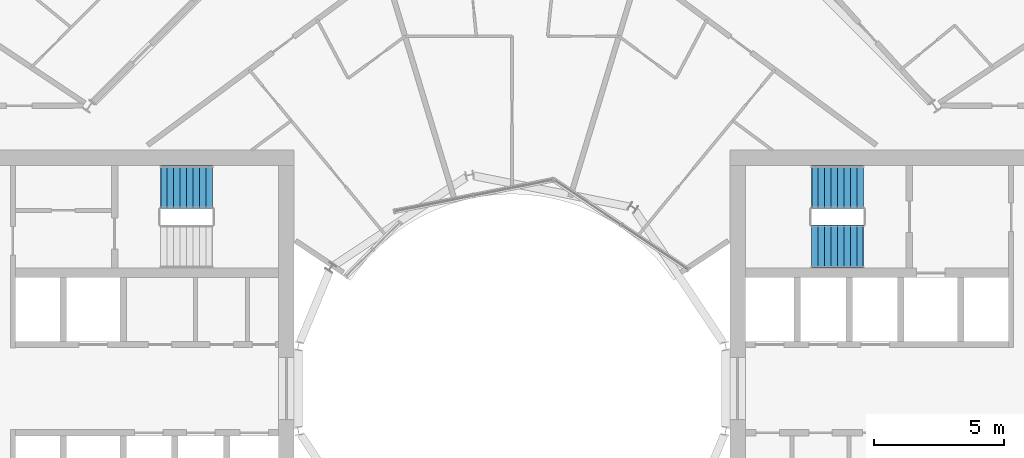
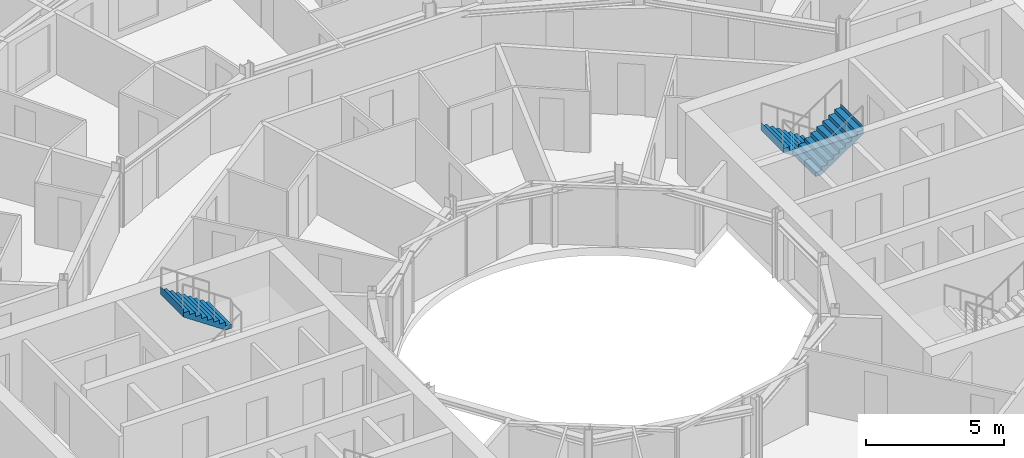
# One storey, part 25 of 27: 3 stair flights, 2 elements without a shape of their own.
"""IFC4 building model written with IfcOpenShell, lengths in metres."""

from ifc_helpers import new_model, si_unit, direction, frame, origin, place, context, subcontext, project, spatial, triangles, material, type_object, element, aggregate, save


model = new_model("IFC4")

# Units and contexts
model_context = context("Model", 3, precision=1e-05, world=origin(), true_north=direction((0.0, 1.0)))
body_context = subcontext(model_context, "Body", "Model", "MODEL_VIEW")
ifc_project = project(units=[si_unit("LENGTHUNIT", "METRE"), si_unit("AREAUNIT", "SQUARE_METRE"), si_unit("VOLUMEUNIT", "CUBIC_METRE"), si_unit("PLANEANGLEUNIT", "RADIAN"), si_unit("MASSUNIT", "GRAM", prefix="KILO")], contexts=[model_context])

# Site, building, storey
site_placement = place(None, origin())
site = spatial("IfcSite", under=ifc_project, at=site_placement, CompositionType="ELEMENT")
building_placement = place(site_placement, origin())
building = spatial("IfcBuilding", under=site, at=building_placement, Name="Maasbend Ring Residences", CompositionType="ELEMENT")
storey_placement = place(building_placement, frame((0.0, 0.0, 120.800048828125)))
storey = spatial("IfcBuildingStorey", under=building, at=storey_placement, Name="L34", CompositionType="ELEMENT", Elevation=120.800048828125)

# Stair, stair flights
ifc_material_1 = material(Name="Concrete C40/50", Category="concrete")
stair_type = type_object("IfcStairType", Name="CORE STAIR 18 RISERS", PredefinedType="HALF_TURN_STAIR", material=ifc_material_1)
stair_1_placement = place(storey_placement, origin())
stair_1 = element("IfcStair", 1, at=stair_1_placement, inside=storey, type_object=stair_type, Name="L34 Exit stair ST-E1", PredefinedType="HALF_TURN_STAIR")
ifc_material_2 = material(Name="Concrete C40/50", Category="concrete")
stair_flight_type = type_object("IfcStairFlightType", Name="CORE STAIR FLIGHT 1650", PredefinedType="STRAIGHT", material=ifc_material_2)
stair_flight_1_placement = place(storey_placement, frame((13.550048828125, 7.77490234375, 0.0), z_axis=(0.0, 0.0, 1.0), x_axis=(-1.0, 0.0, 0.0)))
stair_flight_1 = element("IfcStairFlight", 2, at=stair_flight_1_placement, type_object=stair_flight_type, Name="ST-E1 flight 1", NumberOfRisers=9, NumberOfTreads=8, PredefinedType="STRAIGHT", RiserHeight=0.169444444, TreadLength=0.25, context=body_context, shape_type="Tessellation", body=[
    triangles([(0.24072265625, 0.824951171875, -0.02001953125), (2.0029296875, 0.824951171875, 1.174560546875), (2.0029296875, 0.824951171875, 1.52490234375), (1.989990234375, 0.824951171875, 1.35546875), (1.75, 0.824951171875, 1.35546875), (1.75, 0.824951171875, 1.18603515625), (1.5, 0.824951171875, 1.18603515625), (1.5, 0.824951171875, 1.0166015625), (1.25, 0.824951171875, 1.0166015625), (1.25, 0.824951171875, 0.84716796875), (1.0, 0.824951171875, 0.84716796875), (1.0, 0.824951171875, 0.677734375), (0.75, 0.824951171875, 0.677734375), (0.75, 0.824951171875, 0.50830078125), (0.5, 0.824951171875, 0.50830078125), (0.5, 0.824951171875, 0.3388671875), (0.25, 0.824951171875, 0.3388671875), (0.25, 0.824951171875, 0.16943359375), (0.0, 0.824951171875, 0.16943359375), (0.0, 0.824951171875, 0.0), (-0.0029296875, 0.824951171875, 0.0), (-0.0029296875, 0.824951171875, -0.02001953125), (0.24072265625, 0.27490234375, -0.02001953125), (2.0029296875, 0.27490234375, 1.174560546875), (2.0029296875, 0.27490234375, 1.52490234375), (1.989990234375, 0.27490234375, 1.35546875), (1.75, 0.27490234375, 1.35546875), (1.75, 0.27490234375, 1.18603515625), (1.5, 0.27490234375, 1.18603515625), (1.5, 0.27490234375, 1.0166015625), (1.25, 0.27490234375, 1.0166015625), (1.25, 0.27490234375, 0.84716796875), (1.0, 0.27490234375, 0.84716796875), (1.0, 0.27490234375, 0.677734375), (0.75, 0.27490234375, 0.677734375), (0.75, 0.27490234375, 0.50830078125), (0.5, 0.27490234375, 0.50830078125), (0.5, 0.27490234375, 0.3388671875), (0.25, 0.27490234375, 0.3388671875), (0.25, 0.27490234375, 0.16943359375), (0.0, 0.27490234375, 0.16943359375), (0.0, 0.27490234375, 0.0), (-0.0029296875, 0.27490234375, 0.0), (-0.0029296875, 0.27490234375, -0.02001953125), (0.24072265625, -0.27490234375, -0.02001953125), (2.0029296875, -0.27490234375, 1.174560546875), (2.0029296875, -0.27490234375, 1.52490234375), (1.989990234375, -0.27490234375, 1.35546875), (1.75, -0.27490234375, 1.35546875), (1.75, -0.27490234375, 1.18603515625), (1.5, -0.27490234375, 1.18603515625), (1.5, -0.27490234375, 1.0166015625), (1.25, -0.27490234375, 1.0166015625), (1.25, -0.27490234375, 0.84716796875), (1.0, -0.27490234375, 0.84716796875), (1.0, -0.27490234375, 0.677734375), (0.75, -0.27490234375, 0.677734375), (0.75, -0.27490234375, 0.50830078125), (0.5, -0.27490234375, 0.50830078125), (0.5, -0.27490234375, 0.3388671875), (0.25, -0.27490234375, 0.3388671875), (0.25, -0.27490234375, 0.16943359375), (0.0, -0.27490234375, 0.16943359375), (0.0, -0.27490234375, 0.0), (-0.0029296875, -0.27490234375, 0.0), (-0.0029296875, -0.27490234375, -0.02001953125), (0.24072265625, -0.824951171875, -0.02001953125), (2.0029296875, -0.824951171875, 1.174560546875), (2.0029296875, -0.824951171875, 1.52490234375), (1.989990234375, -0.824951171875, 1.35546875), (1.75, -0.824951171875, 1.35546875), (1.75, -0.824951171875, 1.18603515625), (1.5, -0.824951171875, 1.18603515625), (1.5, -0.824951171875, 1.0166015625), (1.25, -0.824951171875, 1.0166015625), (1.25, -0.824951171875, 0.84716796875), (1.0, -0.824951171875, 0.84716796875), (1.0, -0.824951171875, 0.677734375), (0.75, -0.824951171875, 0.677734375), (0.75, -0.824951171875, 0.50830078125), (0.5, -0.824951171875, 0.50830078125), (0.5, -0.824951171875, 0.3388671875), (0.25, -0.824951171875, 0.3388671875), (0.25, -0.824951171875, 0.16943359375), (0.0, -0.824951171875, 0.16943359375), (0.0, -0.824951171875, 0.0), (-0.0029296875, -0.824951171875, 0.0), (-0.0029296875, -0.824951171875, -0.02001953125)], [[1, 2, 24], [1, 24, 23], [23, 24, 46], [23, 46, 45], [45, 46, 68], [45, 68, 67], [2, 3, 25], [2, 25, 24], [24, 25, 47], [24, 47, 46], [46, 47, 69], [46, 69, 68], [3, 4, 26], [3, 26, 25], [25, 26, 48], [25, 48, 47], [47, 48, 70], [47, 70, 69], [4, 5, 27], [4, 27, 26], [26, 27, 49], [26, 49, 48], [48, 49, 71], [48, 71, 70], [5, 6, 28], [5, 28, 27], [27, 28, 50], [27, 50, 49], [49, 50, 72], [49, 72, 71], [6, 7, 29], [6, 29, 28], [28, 29, 51], [28, 51, 50], [50, 51, 73], [50, 73, 72], [7, 8, 30], [7, 30, 29], [29, 30, 52], [29, 52, 51], [51, 52, 74], [51, 74, 73], [8, 9, 31], [8, 31, 30], [30, 31, 53], [30, 53, 52], [52, 53, 75], [52, 75, 74], [9, 10, 32], [9, 32, 31], [31, 32, 54], [31, 54, 53], [53, 54, 76], [53, 76, 75], [10, 11, 33], [10, 33, 32], [32, 33, 55], [32, 55, 54], [54, 55, 77], [54, 77, 76], [11, 12, 34], [11, 34, 33], [33, 34, 56], [33, 56, 55], [55, 56, 78], [55, 78, 77], [12, 13, 35], [12, 35, 34], [34, 35, 57], [34, 57, 56], [56, 57, 79], [56, 79, 78], [13, 14, 36], [13, 36, 35], [35, 36, 58], [35, 58, 57], [57, 58, 80], [57, 80, 79], [14, 15, 37], [14, 37, 36], [36, 37, 59], [36, 59, 58], [58, 59, 81], [58, 81, 80], [15, 16, 38], [15, 38, 37], [37, 38, 60], [37, 60, 59], [59, 60, 82], [59, 82, 81], [16, 17, 39], [16, 39, 38], [38, 39, 61], [38, 61, 60], [60, 61, 83], [60, 83, 82], [17, 18, 40], [17, 40, 39], [39, 40, 62], [39, 62, 61], [61, 62, 84], [61, 84, 83], [18, 19, 41], [18, 41, 40], [40, 41, 63], [40, 63, 62], [62, 63, 85], [62, 85, 84], [19, 20, 42], [19, 42, 41], [41, 42, 64], [41, 64, 63], [63, 64, 86], [63, 86, 85], [20, 21, 43], [20, 43, 42], [42, 43, 65], [42, 65, 64], [64, 65, 87], [64, 87, 86], [21, 22, 44], [21, 44, 43], [43, 44, 66], [43, 66, 65], [65, 66, 88], [65, 88, 87], [22, 1, 23], [22, 23, 44], [44, 23, 45], [44, 45, 66], [66, 45, 67], [66, 67, 88], [22, 2, 1], [2, 4, 3], [2, 5, 4], [2, 6, 5], [22, 6, 2], [6, 8, 7], [22, 8, 6], [8, 10, 9], [22, 10, 8], [10, 12, 11], [22, 12, 10], [12, 14, 13], [22, 14, 12], [14, 16, 15], [22, 16, 14], [16, 18, 17], [22, 18, 16], [18, 20, 19], [22, 20, 18], [20, 22, 21], [88, 67, 68], [68, 69, 70], [68, 70, 71], [68, 71, 72], [88, 68, 72], [72, 73, 74], [88, 72, 74], [74, 75, 76], [88, 74, 76], [76, 77, 78], [88, 76, 78], [78, 79, 80], [88, 78, 80], [80, 81, 82], [88, 80, 82], [82, 83, 84], [88, 82, 84], [84, 85, 86], [88, 84, 86], [86, 87, 88]], closed=True),
])
stair_flight_2_placement = place(storey_placement, frame((11.550048828125, 5.47509765625, 1.52490234375), z_axis=(0.0, 0.0, 1.0), x_axis=(1.0, 0.0, 0.0)))
stair_flight_2 = element("IfcStairFlight", 3, at=stair_flight_2_placement, type_object=stair_flight_type, Name="ST-E1 flight 2", NumberOfRisers=9, NumberOfTreads=8, PredefinedType="STRAIGHT", RiserHeight=0.169444444, TreadLength=0.25, context=body_context, shape_type="Tessellation", body=[
    triangles([(0.24072265625, 0.824951171875, -0.02001953125), (2.0029296875, 0.824951171875, 1.174560546875), (2.0029296875, 0.824951171875, 1.52490234375), (1.989990234375, 0.824951171875, 1.35546875), (1.75, 0.824951171875, 1.35546875), (1.75, 0.824951171875, 1.18603515625), (1.5, 0.824951171875, 1.18603515625), (1.5, 0.824951171875, 1.0166015625), (1.25, 0.824951171875, 1.0166015625), (1.25, 0.824951171875, 0.84716796875), (1.0, 0.824951171875, 0.84716796875), (1.0, 0.824951171875, 0.677734375), (0.75, 0.824951171875, 0.677734375), (0.75, 0.824951171875, 0.50830078125), (0.5, 0.824951171875, 0.50830078125), (0.5, 0.824951171875, 0.3388671875), (0.25, 0.824951171875, 0.3388671875), (0.25, 0.824951171875, 0.16943359375), (0.0, 0.824951171875, 0.16943359375), (0.0, 0.824951171875, 0.0), (-0.0029296875, 0.824951171875, 0.0), (-0.0029296875, 0.824951171875, -0.02001953125), (0.24072265625, 0.27490234375, -0.02001953125), (2.0029296875, 0.27490234375, 1.174560546875), (2.0029296875, 0.27490234375, 1.52490234375), (1.989990234375, 0.27490234375, 1.35546875), (1.75, 0.27490234375, 1.35546875), (1.75, 0.27490234375, 1.18603515625), (1.5, 0.27490234375, 1.18603515625), (1.5, 0.27490234375, 1.0166015625), (1.25, 0.27490234375, 1.0166015625), (1.25, 0.27490234375, 0.84716796875), (1.0, 0.27490234375, 0.84716796875), (1.0, 0.27490234375, 0.677734375), (0.75, 0.27490234375, 0.677734375), (0.75, 0.27490234375, 0.50830078125), (0.5, 0.27490234375, 0.50830078125), (0.5, 0.27490234375, 0.3388671875), (0.25, 0.27490234375, 0.3388671875), (0.25, 0.27490234375, 0.16943359375), (0.0, 0.27490234375, 0.16943359375), (0.0, 0.27490234375, 0.0), (-0.0029296875, 0.27490234375, 0.0), (-0.0029296875, 0.27490234375, -0.02001953125), (0.24072265625, -0.27490234375, -0.02001953125), (2.0029296875, -0.27490234375, 1.174560546875), (2.0029296875, -0.27490234375, 1.52490234375), (1.989990234375, -0.27490234375, 1.35546875), (1.75, -0.27490234375, 1.35546875), (1.75, -0.27490234375, 1.18603515625), (1.5, -0.27490234375, 1.18603515625), (1.5, -0.27490234375, 1.0166015625), (1.25, -0.27490234375, 1.0166015625), (1.25, -0.27490234375, 0.84716796875), (1.0, -0.27490234375, 0.84716796875), (1.0, -0.27490234375, 0.677734375), (0.75, -0.27490234375, 0.677734375), (0.75, -0.27490234375, 0.50830078125), (0.5, -0.27490234375, 0.50830078125), (0.5, -0.27490234375, 0.3388671875), (0.25, -0.27490234375, 0.3388671875), (0.25, -0.27490234375, 0.16943359375), (0.0, -0.27490234375, 0.16943359375), (0.0, -0.27490234375, 0.0), (-0.0029296875, -0.27490234375, 0.0), (-0.0029296875, -0.27490234375, -0.02001953125), (0.24072265625, -0.824951171875, -0.02001953125), (2.0029296875, -0.824951171875, 1.174560546875), (2.0029296875, -0.824951171875, 1.52490234375), (1.989990234375, -0.824951171875, 1.35546875), (1.75, -0.824951171875, 1.35546875), (1.75, -0.824951171875, 1.18603515625), (1.5, -0.824951171875, 1.18603515625), (1.5, -0.824951171875, 1.0166015625), (1.25, -0.824951171875, 1.0166015625), (1.25, -0.824951171875, 0.84716796875), (1.0, -0.824951171875, 0.84716796875), (1.0, -0.824951171875, 0.677734375), (0.75, -0.824951171875, 0.677734375), (0.75, -0.824951171875, 0.50830078125), (0.5, -0.824951171875, 0.50830078125), (0.5, -0.824951171875, 0.3388671875), (0.25, -0.824951171875, 0.3388671875), (0.25, -0.824951171875, 0.16943359375), (0.0, -0.824951171875, 0.16943359375), (0.0, -0.824951171875, 0.0), (-0.0029296875, -0.824951171875, 0.0), (-0.0029296875, -0.824951171875, -0.02001953125)], [[1, 2, 24], [1, 24, 23], [23, 24, 46], [23, 46, 45], [45, 46, 68], [45, 68, 67], [2, 3, 25], [2, 25, 24], [24, 25, 47], [24, 47, 46], [46, 47, 69], [46, 69, 68], [3, 4, 26], [3, 26, 25], [25, 26, 48], [25, 48, 47], [47, 48, 70], [47, 70, 69], [4, 5, 27], [4, 27, 26], [26, 27, 49], [26, 49, 48], [48, 49, 71], [48, 71, 70], [5, 6, 28], [5, 28, 27], [27, 28, 50], [27, 50, 49], [49, 50, 72], [49, 72, 71], [6, 7, 29], [6, 29, 28], [28, 29, 51], [28, 51, 50], [50, 51, 73], [50, 73, 72], [7, 8, 30], [7, 30, 29], [29, 30, 52], [29, 52, 51], [51, 52, 74], [51, 74, 73], [8, 9, 31], [8, 31, 30], [30, 31, 53], [30, 53, 52], [52, 53, 75], [52, 75, 74], [9, 10, 32], [9, 32, 31], [31, 32, 54], [31, 54, 53], [53, 54, 76], [53, 76, 75], [10, 11, 33], [10, 33, 32], [32, 33, 55], [32, 55, 54], [54, 55, 77], [54, 77, 76], [11, 12, 34], [11, 34, 33], [33, 34, 56], [33, 56, 55], [55, 56, 78], [55, 78, 77], [12, 13, 35], [12, 35, 34], [34, 35, 57], [34, 57, 56], [56, 57, 79], [56, 79, 78], [13, 14, 36], [13, 36, 35], [35, 36, 58], [35, 58, 57], [57, 58, 80], [57, 80, 79], [14, 15, 37], [14, 37, 36], [36, 37, 59], [36, 59, 58], [58, 59, 81], [58, 81, 80], [15, 16, 38], [15, 38, 37], [37, 38, 60], [37, 60, 59], [59, 60, 82], [59, 82, 81], [16, 17, 39], [16, 39, 38], [38, 39, 61], [38, 61, 60], [60, 61, 83], [60, 83, 82], [17, 18, 40], [17, 40, 39], [39, 40, 62], [39, 62, 61], [61, 62, 84], [61, 84, 83], [18, 19, 41], [18, 41, 40], [40, 41, 63], [40, 63, 62], [62, 63, 85], [62, 85, 84], [19, 20, 42], [19, 42, 41], [41, 42, 64], [41, 64, 63], [63, 64, 86], [63, 86, 85], [20, 21, 43], [20, 43, 42], [42, 43, 65], [42, 65, 64], [64, 65, 87], [64, 87, 86], [21, 22, 44], [21, 44, 43], [43, 44, 66], [43, 66, 65], [65, 66, 88], [65, 88, 87], [22, 1, 23], [22, 23, 44], [44, 23, 45], [44, 45, 66], [66, 45, 67], [66, 67, 88], [22, 2, 1], [2, 4, 3], [2, 5, 4], [2, 6, 5], [22, 6, 2], [6, 8, 7], [22, 8, 6], [8, 10, 9], [22, 10, 8], [10, 12, 11], [22, 12, 10], [12, 14, 13], [22, 14, 12], [14, 16, 15], [22, 16, 14], [16, 18, 17], [22, 18, 16], [18, 20, 19], [22, 20, 18], [20, 22, 21], [88, 67, 68], [68, 69, 70], [68, 70, 71], [68, 71, 72], [88, 68, 72], [72, 73, 74], [88, 72, 74], [74, 75, 76], [88, 74, 76], [76, 77, 78], [88, 76, 78], [78, 79, 80], [88, 78, 80], [80, 81, 82], [88, 80, 82], [82, 83, 84], [88, 82, 84], [84, 85, 86], [88, 84, 86], [86, 87, 88]], closed=True),
])
aggregate(stair_1, [stair_flight_1, stair_flight_2])

# Stair, stair flight
stair_2_placement = place(storey_placement, origin())
stair_2 = element("IfcStair", 4, at=stair_2_placement, inside=storey, type_object=stair_type, Name="L34 Exit stair ST-W2", PredefinedType="HALF_TURN_STAIR")
stair_flight_3_placement = place(storey_placement, frame((-11.550048828125, 7.77490234375, 1.52490234375), z_axis=(0.0, 0.0, 1.0), x_axis=(-1.0, 0.0, 0.0)))
stair_flight_3 = element("IfcStairFlight", 5, at=stair_flight_3_placement, type_object=stair_flight_type, Name="ST-W2 flight 2", NumberOfRisers=9, NumberOfTreads=8, PredefinedType="STRAIGHT", RiserHeight=0.169444444, TreadLength=0.25, context=body_context, shape_type="Tessellation", body=[
    triangles([(0.24072265625, 0.824951171875, -0.02001953125), (2.0029296875, 0.824951171875, 1.174560546875), (2.0029296875, 0.824951171875, 1.52490234375), (1.989990234375, 0.824951171875, 1.35546875), (1.75, 0.824951171875, 1.35546875), (1.75, 0.824951171875, 1.18603515625), (1.5, 0.824951171875, 1.18603515625), (1.5, 0.824951171875, 1.0166015625), (1.25, 0.824951171875, 1.0166015625), (1.25, 0.824951171875, 0.84716796875), (1.0, 0.824951171875, 0.84716796875), (1.0, 0.824951171875, 0.677734375), (0.75, 0.824951171875, 0.677734375), (0.75, 0.824951171875, 0.50830078125), (0.5, 0.824951171875, 0.50830078125), (0.5, 0.824951171875, 0.3388671875), (0.25, 0.824951171875, 0.3388671875), (0.25, 0.824951171875, 0.16943359375), (0.0, 0.824951171875, 0.16943359375), (0.0, 0.824951171875, 0.0), (-0.0029296875, 0.824951171875, 0.0), (-0.0029296875, 0.824951171875, -0.02001953125), (0.24072265625, 0.27490234375, -0.02001953125), (2.0029296875, 0.27490234375, 1.174560546875), (2.0029296875, 0.27490234375, 1.52490234375), (1.989990234375, 0.27490234375, 1.35546875), (1.75, 0.27490234375, 1.35546875), (1.75, 0.27490234375, 1.18603515625), (1.5, 0.27490234375, 1.18603515625), (1.5, 0.27490234375, 1.0166015625), (1.25, 0.27490234375, 1.0166015625), (1.25, 0.27490234375, 0.84716796875), (1.0, 0.27490234375, 0.84716796875), (1.0, 0.27490234375, 0.677734375), (0.75, 0.27490234375, 0.677734375), (0.75, 0.27490234375, 0.50830078125), (0.5, 0.27490234375, 0.50830078125), (0.5, 0.27490234375, 0.3388671875), (0.25, 0.27490234375, 0.3388671875), (0.25, 0.27490234375, 0.16943359375), (0.0, 0.27490234375, 0.16943359375), (0.0, 0.27490234375, 0.0), (-0.0029296875, 0.27490234375, 0.0), (-0.0029296875, 0.27490234375, -0.02001953125), (0.24072265625, -0.27490234375, -0.02001953125), (2.0029296875, -0.27490234375, 1.174560546875), (2.0029296875, -0.27490234375, 1.52490234375), (1.989990234375, -0.27490234375, 1.35546875), (1.75, -0.27490234375, 1.35546875), (1.75, -0.27490234375, 1.18603515625), (1.5, -0.27490234375, 1.18603515625), (1.5, -0.27490234375, 1.0166015625), (1.25, -0.27490234375, 1.0166015625), (1.25, -0.27490234375, 0.84716796875), (1.0, -0.27490234375, 0.84716796875), (1.0, -0.27490234375, 0.677734375), (0.75, -0.27490234375, 0.677734375), (0.75, -0.27490234375, 0.50830078125), (0.5, -0.27490234375, 0.50830078125), (0.5, -0.27490234375, 0.3388671875), (0.25, -0.27490234375, 0.3388671875), (0.25, -0.27490234375, 0.16943359375), (0.0, -0.27490234375, 0.16943359375), (0.0, -0.27490234375, 0.0), (-0.0029296875, -0.27490234375, 0.0), (-0.0029296875, -0.27490234375, -0.02001953125), (0.24072265625, -0.824951171875, -0.02001953125), (2.0029296875, -0.824951171875, 1.174560546875), (2.0029296875, -0.824951171875, 1.52490234375), (1.989990234375, -0.824951171875, 1.35546875), (1.75, -0.824951171875, 1.35546875), (1.75, -0.824951171875, 1.18603515625), (1.5, -0.824951171875, 1.18603515625), (1.5, -0.824951171875, 1.0166015625), (1.25, -0.824951171875, 1.0166015625), (1.25, -0.824951171875, 0.84716796875), (1.0, -0.824951171875, 0.84716796875), (1.0, -0.824951171875, 0.677734375), (0.75, -0.824951171875, 0.677734375), (0.75, -0.824951171875, 0.50830078125), (0.5, -0.824951171875, 0.50830078125), (0.5, -0.824951171875, 0.3388671875), (0.25, -0.824951171875, 0.3388671875), (0.25, -0.824951171875, 0.16943359375), (0.0, -0.824951171875, 0.16943359375), (0.0, -0.824951171875, 0.0), (-0.0029296875, -0.824951171875, 0.0), (-0.0029296875, -0.824951171875, -0.02001953125)], [[1, 2, 24], [1, 24, 23], [23, 24, 46], [23, 46, 45], [45, 46, 68], [45, 68, 67], [2, 3, 25], [2, 25, 24], [24, 25, 47], [24, 47, 46], [46, 47, 69], [46, 69, 68], [3, 4, 26], [3, 26, 25], [25, 26, 48], [25, 48, 47], [47, 48, 70], [47, 70, 69], [4, 5, 27], [4, 27, 26], [26, 27, 49], [26, 49, 48], [48, 49, 71], [48, 71, 70], [5, 6, 28], [5, 28, 27], [27, 28, 50], [27, 50, 49], [49, 50, 72], [49, 72, 71], [6, 7, 29], [6, 29, 28], [28, 29, 51], [28, 51, 50], [50, 51, 73], [50, 73, 72], [7, 8, 30], [7, 30, 29], [29, 30, 52], [29, 52, 51], [51, 52, 74], [51, 74, 73], [8, 9, 31], [8, 31, 30], [30, 31, 53], [30, 53, 52], [52, 53, 75], [52, 75, 74], [9, 10, 32], [9, 32, 31], [31, 32, 54], [31, 54, 53], [53, 54, 76], [53, 76, 75], [10, 11, 33], [10, 33, 32], [32, 33, 55], [32, 55, 54], [54, 55, 77], [54, 77, 76], [11, 12, 34], [11, 34, 33], [33, 34, 56], [33, 56, 55], [55, 56, 78], [55, 78, 77], [12, 13, 35], [12, 35, 34], [34, 35, 57], [34, 57, 56], [56, 57, 79], [56, 79, 78], [13, 14, 36], [13, 36, 35], [35, 36, 58], [35, 58, 57], [57, 58, 80], [57, 80, 79], [14, 15, 37], [14, 37, 36], [36, 37, 59], [36, 59, 58], [58, 59, 81], [58, 81, 80], [15, 16, 38], [15, 38, 37], [37, 38, 60], [37, 60, 59], [59, 60, 82], [59, 82, 81], [16, 17, 39], [16, 39, 38], [38, 39, 61], [38, 61, 60], [60, 61, 83], [60, 83, 82], [17, 18, 40], [17, 40, 39], [39, 40, 62], [39, 62, 61], [61, 62, 84], [61, 84, 83], [18, 19, 41], [18, 41, 40], [40, 41, 63], [40, 63, 62], [62, 63, 85], [62, 85, 84], [19, 20, 42], [19, 42, 41], [41, 42, 64], [41, 64, 63], [63, 64, 86], [63, 86, 85], [20, 21, 43], [20, 43, 42], [42, 43, 65], [42, 65, 64], [64, 65, 87], [64, 87, 86], [21, 22, 44], [21, 44, 43], [43, 44, 66], [43, 66, 65], [65, 66, 88], [65, 88, 87], [22, 1, 23], [22, 23, 44], [44, 23, 45], [44, 45, 66], [66, 45, 67], [66, 67, 88], [22, 2, 1], [2, 4, 3], [2, 5, 4], [2, 6, 5], [22, 6, 2], [6, 8, 7], [22, 8, 6], [8, 10, 9], [22, 10, 8], [10, 12, 11], [22, 12, 10], [12, 14, 13], [22, 14, 12], [14, 16, 15], [22, 16, 14], [16, 18, 17], [22, 18, 16], [18, 20, 19], [22, 20, 18], [20, 22, 21], [88, 67, 68], [68, 69, 70], [68, 70, 71], [68, 71, 72], [88, 68, 72], [72, 73, 74], [88, 72, 74], [74, 75, 76], [88, 74, 76], [76, 77, 78], [88, 76, 78], [78, 79, 80], [88, 78, 80], [80, 81, 82], [88, 80, 82], [82, 83, 84], [88, 82, 84], [84, 85, 86], [88, 84, 86], [86, 87, 88]], closed=True),
])
aggregate(stair_2, [stair_flight_3])

save(model, "model.ifc")
